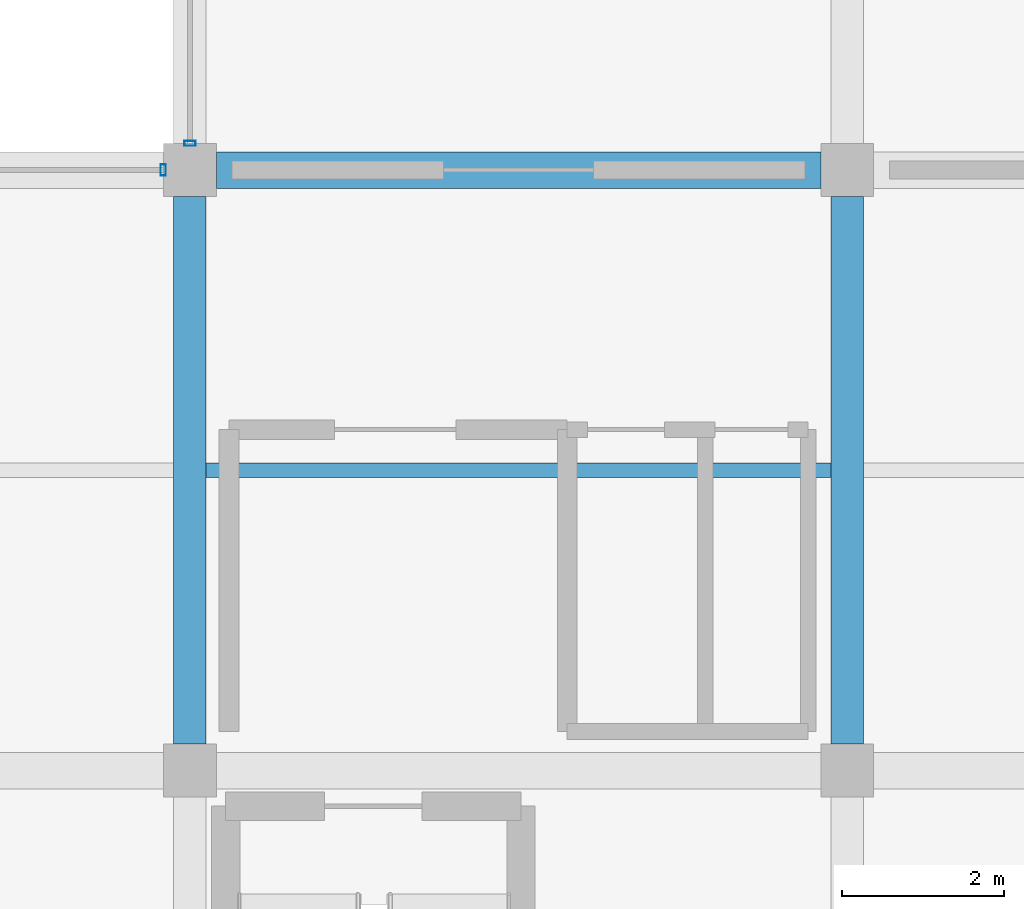
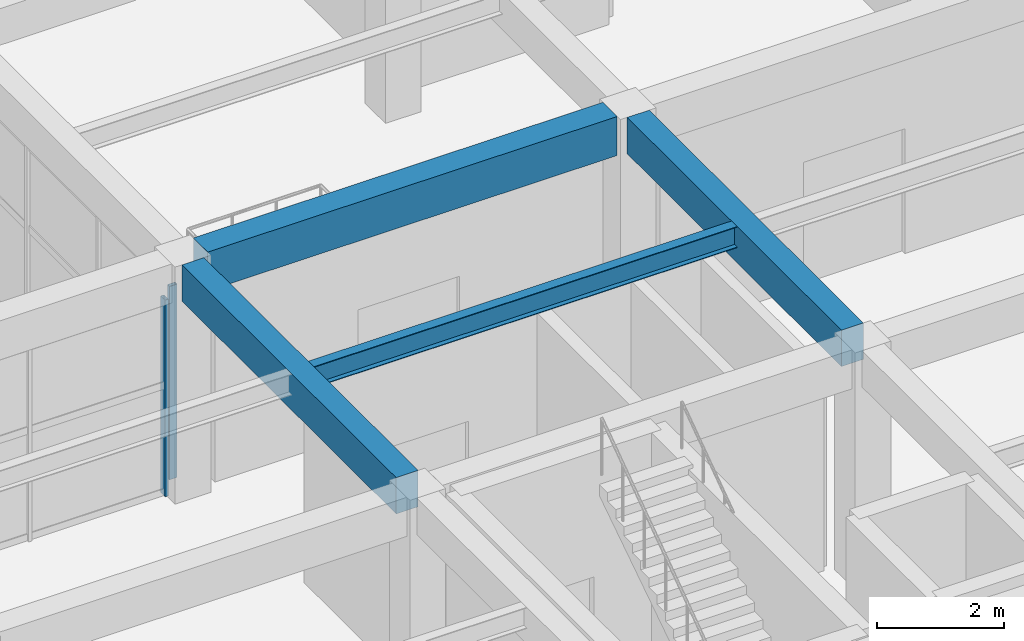
# One storey, part 56 of 161: 4 beams, 2 members, 2 elements without a shape of their own.
"""IFC4 building model written with IfcOpenShell, lengths in metres."""

from ifc_helpers import new_model, si_unit, direction, frame, origin, origin_2d, place, context, subcontext, project, spatial, rectangle, hollow_rectangle, i_section, extrude, material, material_profile, profile_set, type_object, element, aggregate, save


model = new_model("IFC4")

# Units and contexts
model_context = context("Model", 3, precision=1e-05, world=origin(), true_north=direction((0.0, 1.0)))
body_context = subcontext(model_context, "Body", "Model", "MODEL_VIEW")
ifc_project = project(units=[si_unit("LENGTHUNIT", "METRE"), si_unit("AREAUNIT", "SQUARE_METRE"), si_unit("VOLUMEUNIT", "CUBIC_METRE"), si_unit("PLANEANGLEUNIT", "RADIAN"), si_unit("MASSUNIT", "GRAM", prefix="KILO")], contexts=[model_context])

# Site, building, storey
site_placement = place(None, origin())
site = spatial("IfcSite", under=ifc_project, at=site_placement, CompositionType="ELEMENT")
building_placement = place(site_placement, origin())
building = spatial("IfcBuilding", under=site, at=building_placement, Name="Cimatlan Art Gallery", CompositionType="ELEMENT")
storey_placement = place(building_placement, frame((0.0, 0.0, 5.39990234375)))
storey = spatial("IfcBuildingStorey", under=building, at=storey_placement, Name="L01", CompositionType="ELEMENT", Elevation=5.39990234375)

# Beams
ifc_material_1 = material(Name="Concrete C40/50", Category="concrete")
ifc_material_profile_1 = material_profile(ifc_material_1, rectangle(XDim=0.39990234375, YDim=0.699951171875, at=origin_2d()), Name="RC400X700")
ifc_profile_set_1 = profile_set([ifc_material_profile_1], Name="Concrete C40/50")
beam_type_1 = type_object("IfcBeamType", Name="BM-RC-400X700", PredefinedType="BEAM", material=ifc_profile_set_1)
for number, where, z_axis, x_axis, name in (
    (1, (115.39990234375, 31.625, 4.210205078125), (0.0, 1.0, 0.0), (-1.0, 0.0, 0.0), "BM-Y-L01-14-04"),
    (2, (123.5, 31.625, 4.210205078125), (0.0, 1.0, 0.0), (-1.0, 0.0, 0.0), "BM-Y-L01-15-04"),
):
    element("IfcBeam", number, at=place(storey_placement, frame(where, z_axis=z_axis, x_axis=x_axis)), inside=storey, type_object=beam_type_1, Name=name, PredefinedType="BEAM", context=body_context, shape_type="SweptSolid", body=[
        extrude(rectangle(XDim=0.39990234375, YDim=0.699951171875, at=origin_2d()), origin(), (0.0, 0.0, 1.0), 6.75),
    ])
ifc_material_profile_2 = material_profile(ifc_material_1, rectangle(XDim=0.449951171875, YDim=0.75, at=origin_2d()), Name="RC450X750")
ifc_profile_set_2 = profile_set([ifc_material_profile_2], Name="Concrete C40/50")
beam_type_2 = type_object("IfcBeamType", Name="BM-RC-450X750", PredefinedType="BEAM", material=ifc_profile_set_2)
beam_1_placement = place(storey_placement, frame((115.72509765625, 38.699951171875, 4.18505859375), z_axis=(1.0, 0.0, 0.0), x_axis=(0.0, 1.0, 0.0)))
element("IfcBeam", 3, at=beam_1_placement, inside=storey, type_object=beam_type_2, Name="BM-X-L01-14-05", PredefinedType="BEAM", context=body_context, shape_type="SweptSolid", body=[
    extrude(rectangle(XDim=0.449951171875, YDim=0.75, at=origin_2d()), origin(), (0.0, 0.0, 1.0), 7.449951171875),
])
ifc_material_2 = material(Name="Steel ASTM A992 Grade 50", Category="steel")
ifc_material_profile_3 = material_profile(ifc_material_2, i_section(OverallWidth=0.177978515625, OverallDepth=0.406982421875, WebThickness=0.0078125, FlangeThickness=0.0126953125, at=origin_2d()), Name="W16X40")
ifc_profile_set_3 = profile_set([ifc_material_profile_3], Name="Steel ASTM A992 Grade 50")
beam_type_3 = type_object("IfcBeamType", Name="BM-STL-W16X40", PredefinedType="JOIST", material=ifc_profile_set_3)
beam_2_placement = place(storey_placement, frame((115.60009765625, 35.0, 4.356689453125), z_axis=(1.0, 0.0, 0.0), x_axis=(0.0, 1.0, 0.0)))
element("IfcBeam", 4, at=beam_2_placement, inside=storey, type_object=beam_type_3, Name="JST-L01-14-04", PredefinedType="JOIST", context=body_context, shape_type="SweptSolid", body=[
    extrude(i_section(OverallWidth=0.177978515625, OverallDepth=0.406982421875, WebThickness=0.0078125, FlangeThickness=0.0126953125, at=origin_2d()), origin(), (0.0, 0.0, 1.0), 7.699951171875),
])

# Curtain wall, member
ifc_material_3 = material(Name="Anodised bronze unitised curtain wall")
curtain_wall_type_1 = type_object("IfcCurtainWallType", Name="CW-V-07442X03780-B3", PredefinedType="NOTDEFINED", material=ifc_material_3)
curtain_wall_1_placement = place(storey_placement, origin())
curtain_wall_1 = element("IfcCurtainWall", 5, at=curtain_wall_1_placement, inside=storey, type_object=curtain_wall_type_1, Name="CW-L01-13-04-N", PredefinedType="NOTDEFINED")
ifc_material_4 = material(Name="Anodised bronze aluminium 6063-T6", Category="aluminium")
ifc_material_profile_4 = material_profile(ifc_material_4, hollow_rectangle(XDim=0.06494140625, YDim=0.139892578125, WallThickness=0.00390625, at=origin_2d()), Name="ALU65X140X4")
ifc_profile_set_4 = profile_set([ifc_material_profile_4], Name="Anodised bronze aluminium 6063-T6")
member_type = type_object("IfcMemberType", Name="CW-MUL-140", PredefinedType="MULLION", material=ifc_profile_set_4)
member_1_placement = place(storey_placement, frame((115.071044921875, 38.699951171875, 0.0), z_axis=(0.0, 0.0, 1.0), x_axis=(1.0, 0.0, 0.0)))
member_1 = element("IfcMember", 6, at=member_1_placement, type_object=member_type, Name="CW-L01-13-04-N-M4", PredefinedType="MULLION", context=body_context, shape_type="SweptSolid", body=[
    extrude(hollow_rectangle(XDim=0.06494140625, YDim=0.139892578125, WallThickness=0.00390625, at=origin_2d()), origin(), (0.0, 0.0, 1.0), 3.780029296875),
])
aggregate(curtain_wall_1, [member_1])

curtain_wall_type_2 = type_object("IfcCurtainWallType", Name="CW-V-06742X03720-B3", PredefinedType="NOTDEFINED", material=ifc_material_3)
curtain_wall_2_placement = place(storey_placement, origin())
curtain_wall_2 = element("IfcCurtainWall", 7, at=curtain_wall_2_placement, inside=storey, type_object=curtain_wall_type_2, Name="CW-L01-14-05-W", PredefinedType="NOTDEFINED")
member_2_placement = place(storey_placement, frame((115.39990234375, 39.029052734375, 0.0), z_axis=(0.0, 0.0, 1.0), x_axis=(0.0, 1.0, 0.0)))
member_2 = element("IfcMember", 8, at=member_2_placement, type_object=member_type, Name="CW-L01-14-05-W-M1", PredefinedType="MULLION", context=body_context, shape_type="SweptSolid", body=[
    extrude(hollow_rectangle(XDim=0.06494140625, YDim=0.139892578125, WallThickness=0.00390625, at=origin_2d()), origin(), (0.0, 0.0, 1.0), 3.72021484375),
])
aggregate(curtain_wall_2, [member_2])

save(model, "model.ifc")
